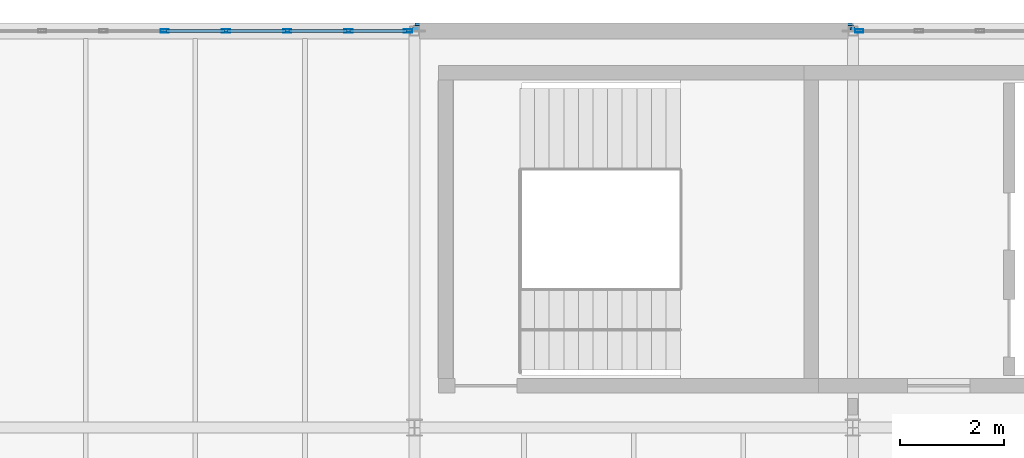
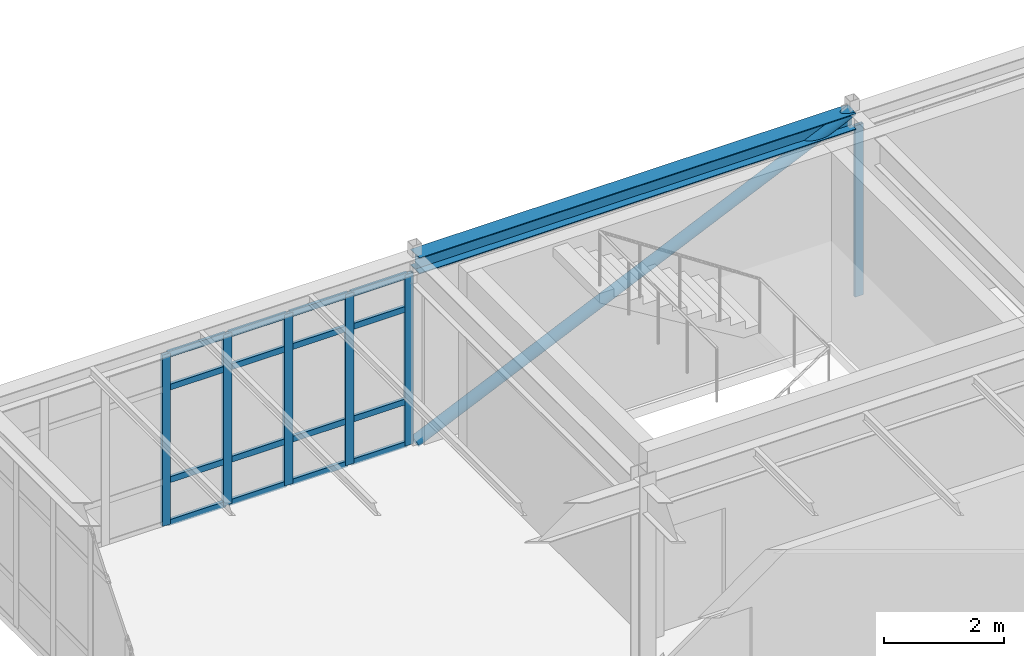
# One storey, part 20 of 65: 23 members, 1 beam, 2 elements without a shape of their own.
"""IFC4 building model written with IfcOpenShell, lengths in metres."""

from ifc_helpers import new_model, si_unit, direction, frame, origin, origin_2d, place, context, subcontext, project, spatial, hollow_rectangle, hollow_circle, i_section, extrude, material, layer, layer_set, material_profile, profile_set, type_object, element, aggregate, save


model = new_model("IFC4")

# Units and contexts
model_context = context("Model", 3, precision=1e-05, world=origin(), true_north=direction((0.0, 1.0)))
body_context = subcontext(model_context, "Body", "Model", "MODEL_VIEW")
ifc_project = project(units=[si_unit("LENGTHUNIT", "METRE"), si_unit("AREAUNIT", "SQUARE_METRE"), si_unit("VOLUMEUNIT", "CUBIC_METRE"), si_unit("PLANEANGLEUNIT", "RADIAN"), si_unit("MASSUNIT", "GRAM", prefix="KILO")], contexts=[model_context])

# Site, building, storey
site_placement = place(None, origin())
site = spatial("IfcSite", under=ifc_project, at=site_placement, CompositionType="ELEMENT")
building_placement = place(site_placement, origin())
building = spatial("IfcBuilding", under=site, at=building_placement, Name="Montecoro Central Library", CompositionType="ELEMENT")
storey_placement = place(building_placement, frame((0.0, 0.0, 17.340087890625)))
storey = spatial("IfcBuildingStorey", under=building, at=storey_placement, Name="L04", CompositionType="ELEMENT", Elevation=17.340087890625)

# Beam
ifc_material_1 = material(Name="Steel S355", Category="steel")
ifc_material_profile_1 = material_profile(ifc_material_1, i_section(OverallWidth=0.300048828125, OverallDepth=0.330078125, WebThickness=0.009521484375, FlangeThickness=0.0166015625, at=origin_2d()), Name="HEA 340")
ifc_profile_set_1 = profile_set([ifc_material_profile_1], Name="Steel S355")
beam_type = type_object("IfcBeamType", Name="BM-SP-HEA340", PredefinedType="SPANDREL", material=ifc_profile_set_1)
beam_placement = place(storey_placement, frame((74.804931640625, 119.0, 3.659912109375), z_axis=(1.0, 0.0, 0.0), x_axis=(0.0, 1.0, 0.0)))
element("IfcBeam", 1, at=beam_placement, inside=storey, type_object=beam_type, Name="V2-L04-BX-1011-R", PredefinedType="SPANDREL", context=body_context, shape_type="SweptSolid", body=[
    extrude(i_section(OverallWidth=0.300048828125, OverallDepth=0.330078125, WebThickness=0.009521484375, FlangeThickness=0.0166015625, at=origin_2d()), origin(), (0.0, 0.0, 1.0), 8.39013671875),
])

# Curtain wall, member
ifc_material_2 = material(Name="Bronze-anodised aluminium and low-E glazing", Category="aluminium")
ifc_layer = layer(ifc_material_2, 0.159912109375)
ifc_layer_set = layer_set([ifc_layer], Name="Bronze-anodised aluminium and low-E glazing")
curtain_wall_type = type_object("IfcCurtainWallType", Name="CWT-022", PredefinedType="NOTDEFINED", material=ifc_layer_set)
curtain_wall_1_placement = place(storey_placement, origin())
curtain_wall_1 = element("IfcCurtainWall", 2, at=curtain_wall_1_placement, inside=storey, type_object=curtain_wall_type, Name="V2-L04-CW-N2", PredefinedType="NOTDEFINED")
ifc_material_3 = material(Name="Bronze-anodised aluminium", Category="aluminium")
ifc_material_profile_2 = material_profile(ifc_material_3, hollow_rectangle(XDim=0.06005859375, YDim=0.159912109375, WallThickness=0.00390625, at=origin_2d()), Name="CWM 160x60x4.0")
ifc_profile_set_2 = profile_set([ifc_material_profile_2], Name="Bronze-anodised aluminium")
member_type_1 = type_object("IfcMemberType", Name="CWM-BRZ-60", PredefinedType="MULLION", material=ifc_profile_set_2)
member_1_placement = place(storey_placement, frame((83.322998046875, 119.0, 0.0), z_axis=(0.0, 0.0, 1.0), x_axis=(0.0, -1.0, 0.0)))
member_1 = element("IfcMember", 3, at=member_1_placement, type_object=member_type_1, Name="CW-022 mullion 8", PredefinedType="MULLION", context=body_context, shape_type="SweptSolid", body=[
    extrude(hollow_rectangle(XDim=0.06005859375, YDim=0.159912109375, WallThickness=0.00390625, at=origin_2d()), origin(), (0.0, 0.0, 1.0), 3.47998046875),
])
aggregate(curtain_wall_1, [member_1])

# Curtain wall, members
curtain_wall_2_placement = place(storey_placement, origin())
curtain_wall_2 = element("IfcCurtainWall", 4, at=curtain_wall_2_placement, inside=storey, type_object=curtain_wall_type, Name="V2-L04-CW-N0", PredefinedType="NOTDEFINED")
member_2_placement = place(storey_placement, frame((74.677001953125, 119.0, 0.0), z_axis=(0.0, 0.0, 1.0), x_axis=(0.0, -1.0, 0.0)))
member_2 = element("IfcMember", 5, at=member_2_placement, type_object=member_type_1, Name="CW-022 mullion 1", PredefinedType="MULLION", context=body_context, shape_type="SweptSolid", body=[
    extrude(hollow_rectangle(XDim=0.06005859375, YDim=0.159912109375, WallThickness=0.00390625, at=origin_2d()), origin(), (0.0, 0.0, 1.0), 3.47998046875),
])
member_3_placement = place(storey_placement, frame((73.53369140625, 119.0, 0.0), z_axis=(0.0, 0.0, 1.0), x_axis=(0.0, -1.0, 0.0)))
member_3 = element("IfcMember", 6, at=member_3_placement, type_object=member_type_1, Name="CW-022 mullion 2", PredefinedType="MULLION", context=body_context, shape_type="SweptSolid", body=[
    extrude(hollow_rectangle(XDim=0.06005859375, YDim=0.159912109375, WallThickness=0.00390625, at=origin_2d()), origin(), (0.0, 0.0, 1.0), 3.47998046875),
])
member_4_placement = place(storey_placement, frame((72.360107421875, 119.0, 0.0), z_axis=(0.0, 0.0, 1.0), x_axis=(0.0, -1.0, 0.0)))
member_4 = element("IfcMember", 7, at=member_4_placement, type_object=member_type_1, Name="CW-022 mullion 3", PredefinedType="MULLION", context=body_context, shape_type="SweptSolid", body=[
    extrude(hollow_rectangle(XDim=0.06005859375, YDim=0.159912109375, WallThickness=0.00390625, at=origin_2d()), origin(), (0.0, 0.0, 1.0), 3.47998046875),
])
member_5_placement = place(storey_placement, frame((71.186767578125, 119.0, 0.0), z_axis=(0.0, 0.0, 1.0), x_axis=(0.0, -1.0, 0.0)))
member_5 = element("IfcMember", 8, at=member_5_placement, type_object=member_type_1, Name="CW-022 mullion 4", PredefinedType="MULLION", context=body_context, shape_type="SweptSolid", body=[
    extrude(hollow_rectangle(XDim=0.06005859375, YDim=0.159912109375, WallThickness=0.00390625, at=origin_2d()), origin(), (0.0, 0.0, 1.0), 3.47998046875),
])
member_6_placement = place(storey_placement, frame((70.01318359375, 119.0, 0.0), z_axis=(0.0, 0.0, 1.0), x_axis=(0.0, -1.0, 0.0)))
member_6 = element("IfcMember", 9, at=member_6_placement, type_object=member_type_1, Name="CW-022 mullion 5", PredefinedType="MULLION", context=body_context, shape_type="SweptSolid", body=[
    extrude(hollow_rectangle(XDim=0.06005859375, YDim=0.159912109375, WallThickness=0.00390625, at=origin_2d()), origin(), (0.0, 0.0, 1.0), 3.47998046875),
])
ifc_material_profile_3 = material_profile(ifc_material_3, hollow_rectangle(XDim=0.06005859375, YDim=0.1201171875, WallThickness=0.00390625, at=origin_2d()), Name="CWT 120x60x4.0")
ifc_profile_set_3 = profile_set([ifc_material_profile_3], Name="Bronze-anodised aluminium")
member_type_2 = type_object("IfcMemberType", Name="CWT-BRZ-60", PredefinedType="USERDEFINED", material=ifc_profile_set_3)
member_7_placement = place(storey_placement, frame((74.64697265625, 119.0, 0.030029296875), z_axis=(-1.0, 0.0, 0.0), x_axis=(0.0, -1.0, 0.0)))
member_7 = element("IfcMember", 10, at=member_7_placement, type_object=member_type_2, Name="CW-022 transom 1.1", ObjectType="TRANSOM", PredefinedType="USERDEFINED", context=body_context, shape_type="SweptSolid", body=[
    extrude(hollow_rectangle(XDim=0.06005859375, YDim=0.1201171875, WallThickness=0.00390625, at=origin_2d()), origin(), (0.0, 0.0, 1.0), 1.08349609375),
])
member_8_placement = place(storey_placement, frame((74.64697265625, 119.0, 0.89990234375), z_axis=(-1.0, 0.0, 0.0), x_axis=(0.0, -1.0, 0.0)))
member_8 = element("IfcMember", 11, at=member_8_placement, type_object=member_type_2, Name="CW-022 transom 1.2", ObjectType="TRANSOM", PredefinedType="USERDEFINED", context=body_context, shape_type="SweptSolid", body=[
    extrude(hollow_rectangle(XDim=0.06005859375, YDim=0.1201171875, WallThickness=0.00390625, at=origin_2d()), origin(), (0.0, 0.0, 1.0), 1.08349609375),
])
member_9_placement = place(storey_placement, frame((74.64697265625, 119.0, 2.780029296875), z_axis=(-1.0, 0.0, 0.0), x_axis=(0.0, -1.0, 0.0)))
member_9 = element("IfcMember", 12, at=member_9_placement, type_object=member_type_2, Name="CW-022 transom 1.3", ObjectType="TRANSOM", PredefinedType="USERDEFINED", context=body_context, shape_type="SweptSolid", body=[
    extrude(hollow_rectangle(XDim=0.06005859375, YDim=0.1201171875, WallThickness=0.00390625, at=origin_2d()), origin(), (0.0, 0.0, 1.0), 1.08349609375),
])
member_10_placement = place(storey_placement, frame((74.64697265625, 119.0, 3.449951171875), z_axis=(-1.0, 0.0, 0.0), x_axis=(0.0, -1.0, 0.0)))
member_10 = element("IfcMember", 13, at=member_10_placement, type_object=member_type_2, Name="CW-022 transom 1.4", ObjectType="TRANSOM", PredefinedType="USERDEFINED", context=body_context, shape_type="SweptSolid", body=[
    extrude(hollow_rectangle(XDim=0.06005859375, YDim=0.1201171875, WallThickness=0.00390625, at=origin_2d()), origin(), (0.0, 0.0, 1.0), 1.08349609375),
])
member_11_placement = place(storey_placement, frame((73.503662109375, 119.0, 0.030029296875), z_axis=(-1.0, 0.0, 0.0), x_axis=(0.0, -1.0, 0.0)))
member_11 = element("IfcMember", 14, at=member_11_placement, type_object=member_type_2, Name="CW-022 transom 2.1", ObjectType="TRANSOM", PredefinedType="USERDEFINED", context=body_context, shape_type="SweptSolid", body=[
    extrude(hollow_rectangle(XDim=0.06005859375, YDim=0.1201171875, WallThickness=0.00390625, at=origin_2d()), origin(), (0.0, 0.0, 1.0), 1.113525390625),
])
member_12_placement = place(storey_placement, frame((73.503662109375, 119.0, 0.89990234375), z_axis=(-1.0, 0.0, 0.0), x_axis=(0.0, -1.0, 0.0)))
member_12 = element("IfcMember", 15, at=member_12_placement, type_object=member_type_2, Name="CW-022 transom 2.2", ObjectType="TRANSOM", PredefinedType="USERDEFINED", context=body_context, shape_type="SweptSolid", body=[
    extrude(hollow_rectangle(XDim=0.06005859375, YDim=0.1201171875, WallThickness=0.00390625, at=origin_2d()), origin(), (0.0, 0.0, 1.0), 1.113525390625),
])
member_13_placement = place(storey_placement, frame((73.503662109375, 119.0, 2.780029296875), z_axis=(-1.0, 0.0, 0.0), x_axis=(0.0, -1.0, 0.0)))
member_13 = element("IfcMember", 16, at=member_13_placement, type_object=member_type_2, Name="CW-022 transom 2.3", ObjectType="TRANSOM", PredefinedType="USERDEFINED", context=body_context, shape_type="SweptSolid", body=[
    extrude(hollow_rectangle(XDim=0.06005859375, YDim=0.1201171875, WallThickness=0.00390625, at=origin_2d()), origin(), (0.0, 0.0, 1.0), 1.113525390625),
])
member_14_placement = place(storey_placement, frame((73.503662109375, 119.0, 3.449951171875), z_axis=(-1.0, 0.0, 0.0), x_axis=(0.0, -1.0, 0.0)))
member_14 = element("IfcMember", 17, at=member_14_placement, type_object=member_type_2, Name="CW-022 transom 2.4", ObjectType="TRANSOM", PredefinedType="USERDEFINED", context=body_context, shape_type="SweptSolid", body=[
    extrude(hollow_rectangle(XDim=0.06005859375, YDim=0.1201171875, WallThickness=0.00390625, at=origin_2d()), origin(), (0.0, 0.0, 1.0), 1.113525390625),
])
member_15_placement = place(storey_placement, frame((72.330078125, 119.0, 0.030029296875), z_axis=(-1.0, 0.0, 0.0), x_axis=(0.0, -1.0, 0.0)))
member_15 = element("IfcMember", 18, at=member_15_placement, type_object=member_type_2, Name="CW-022 transom 3.1", ObjectType="TRANSOM", PredefinedType="USERDEFINED", context=body_context, shape_type="SweptSolid", body=[
    extrude(hollow_rectangle(XDim=0.06005859375, YDim=0.1201171875, WallThickness=0.00390625, at=origin_2d()), origin(), (0.0, 0.0, 1.0), 1.11328125),
])
member_16_placement = place(storey_placement, frame((72.330078125, 119.0, 0.89990234375), z_axis=(-1.0, 0.0, 0.0), x_axis=(0.0, -1.0, 0.0)))
member_16 = element("IfcMember", 19, at=member_16_placement, type_object=member_type_2, Name="CW-022 transom 3.2", ObjectType="TRANSOM", PredefinedType="USERDEFINED", context=body_context, shape_type="SweptSolid", body=[
    extrude(hollow_rectangle(XDim=0.06005859375, YDim=0.1201171875, WallThickness=0.00390625, at=origin_2d()), origin(), (0.0, 0.0, 1.0), 1.11328125),
])
member_17_placement = place(storey_placement, frame((72.330078125, 119.0, 2.780029296875), z_axis=(-1.0, 0.0, 0.0), x_axis=(0.0, -1.0, 0.0)))
member_17 = element("IfcMember", 20, at=member_17_placement, type_object=member_type_2, Name="CW-022 transom 3.3", ObjectType="TRANSOM", PredefinedType="USERDEFINED", context=body_context, shape_type="SweptSolid", body=[
    extrude(hollow_rectangle(XDim=0.06005859375, YDim=0.1201171875, WallThickness=0.00390625, at=origin_2d()), origin(), (0.0, 0.0, 1.0), 1.11328125),
])
member_18_placement = place(storey_placement, frame((72.330078125, 119.0, 3.449951171875), z_axis=(-1.0, 0.0, 0.0), x_axis=(0.0, -1.0, 0.0)))
member_18 = element("IfcMember", 21, at=member_18_placement, type_object=member_type_2, Name="CW-022 transom 3.4", ObjectType="TRANSOM", PredefinedType="USERDEFINED", context=body_context, shape_type="SweptSolid", body=[
    extrude(hollow_rectangle(XDim=0.06005859375, YDim=0.1201171875, WallThickness=0.00390625, at=origin_2d()), origin(), (0.0, 0.0, 1.0), 1.11328125),
])
member_19_placement = place(storey_placement, frame((71.15673828125, 119.0, 0.030029296875), z_axis=(-1.0, 0.0, 0.0), x_axis=(0.0, -1.0, 0.0)))
member_19 = element("IfcMember", 22, at=member_19_placement, type_object=member_type_2, Name="CW-022 transom 4.1", ObjectType="TRANSOM", PredefinedType="USERDEFINED", context=body_context, shape_type="SweptSolid", body=[
    extrude(hollow_rectangle(XDim=0.06005859375, YDim=0.1201171875, WallThickness=0.00390625, at=origin_2d()), origin(), (0.0, 0.0, 1.0), 1.113525390625),
])
member_20_placement = place(storey_placement, frame((71.15673828125, 119.0, 0.89990234375), z_axis=(-1.0, 0.0, 0.0), x_axis=(0.0, -1.0, 0.0)))
member_20 = element("IfcMember", 23, at=member_20_placement, type_object=member_type_2, Name="CW-022 transom 4.2", ObjectType="TRANSOM", PredefinedType="USERDEFINED", context=body_context, shape_type="SweptSolid", body=[
    extrude(hollow_rectangle(XDim=0.06005859375, YDim=0.1201171875, WallThickness=0.00390625, at=origin_2d()), origin(), (0.0, 0.0, 1.0), 1.113525390625),
])
member_21_placement = place(storey_placement, frame((71.15673828125, 119.0, 2.780029296875), z_axis=(-1.0, 0.0, 0.0), x_axis=(0.0, -1.0, 0.0)))
member_21 = element("IfcMember", 24, at=member_21_placement, type_object=member_type_2, Name="CW-022 transom 4.3", ObjectType="TRANSOM", PredefinedType="USERDEFINED", context=body_context, shape_type="SweptSolid", body=[
    extrude(hollow_rectangle(XDim=0.06005859375, YDim=0.1201171875, WallThickness=0.00390625, at=origin_2d()), origin(), (0.0, 0.0, 1.0), 1.113525390625),
])
member_22_placement = place(storey_placement, frame((71.15673828125, 119.0, 3.449951171875), z_axis=(-1.0, 0.0, 0.0), x_axis=(0.0, -1.0, 0.0)))
member_22 = element("IfcMember", 25, at=member_22_placement, type_object=member_type_2, Name="CW-022 transom 4.4", ObjectType="TRANSOM", PredefinedType="USERDEFINED", context=body_context, shape_type="SweptSolid", body=[
    extrude(hollow_rectangle(XDim=0.06005859375, YDim=0.1201171875, WallThickness=0.00390625, at=origin_2d()), origin(), (0.0, 0.0, 1.0), 1.113525390625),
])
aggregate(curtain_wall_2, [member_2, member_3, member_4, member_5, member_6, member_7, member_8, member_9, member_10, member_11, member_12, member_13, member_14, member_15, member_16, member_17, member_18, member_19, member_20, member_21, member_22])

# Member
ifc_material_profile_4 = material_profile(ifc_material_1, hollow_circle(Radius=0.109619140625, WallThickness=0.010009765625, at=origin_2d()), Name="CHS 219.1x10.0")
ifc_profile_set_4 = profile_set([ifc_material_profile_4], Name="Steel S355")
member_type_3 = type_object("IfcMemberType", Name="MB-BR-CHS219", PredefinedType="BRACE", material=ifc_profile_set_4)
member_23_placement = place(storey_placement, frame((74.800048828125, 119.0, 0.010009765625), z_axis=(0.911312900709, 0.0, 0.411714460519), x_axis=(0.0, 1.0, 0.0)))
element("IfcMember", 26, at=member_23_placement, inside=storey, type_object=member_type_3, Name="V2-L04-BRN1", PredefinedType="BRACE", context=body_context, shape_type="SweptSolid", body=[
    extrude(hollow_circle(Radius=0.109619140625, WallThickness=0.010009765625, at=origin_2d()), origin(), (0.0, 0.0, 1.0), 9.21728515625),
])

save(model, "model.ifc")
